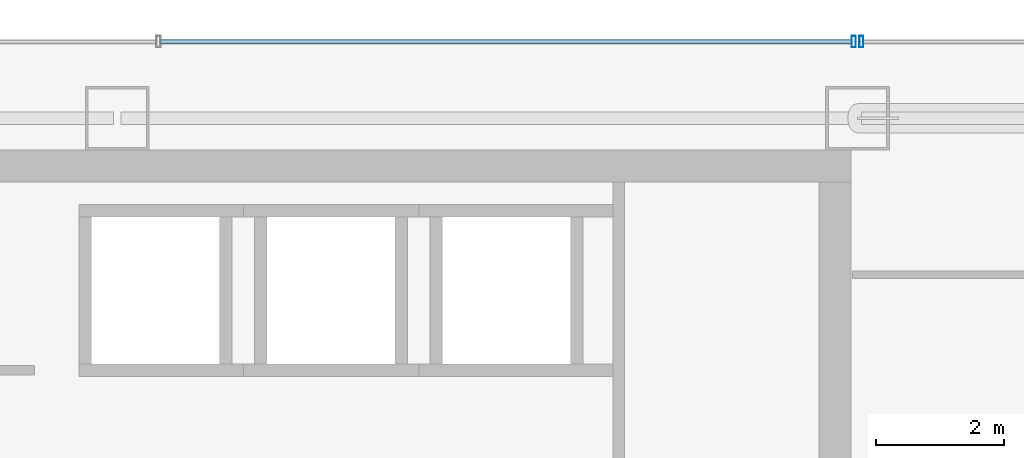
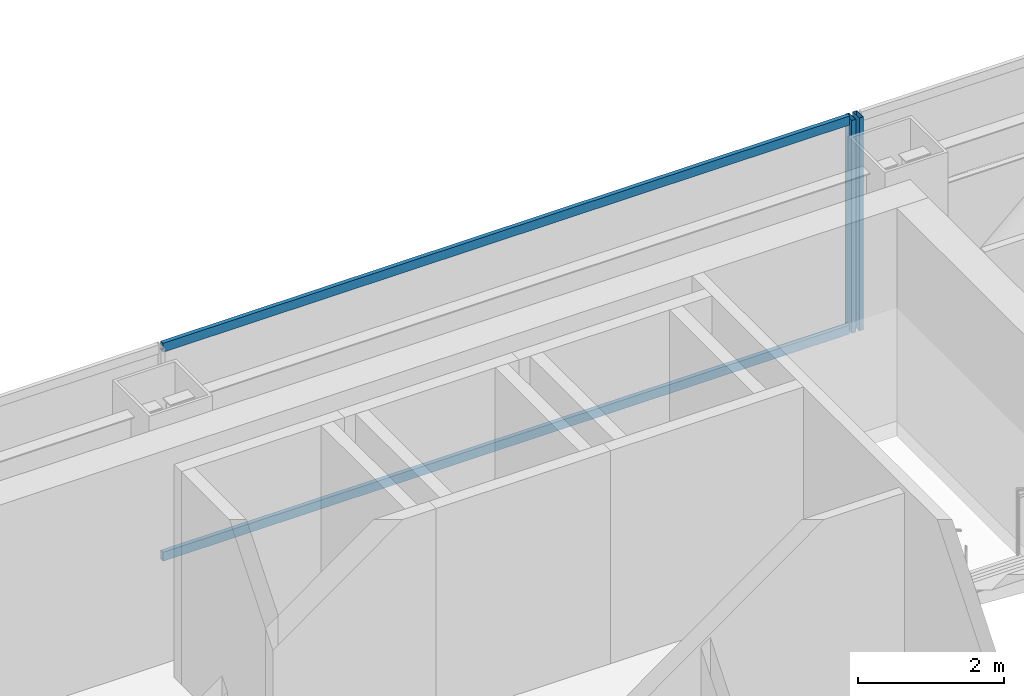
# One storey, part 20 of 31: 4 members, 2 elements without a shape of their own.
"""IFC4 building model written with IfcOpenShell, lengths in metres."""

from ifc_helpers import new_model, si_unit, direction, frame, origin, origin_2d, place, context, subcontext, project, spatial, hollow_rectangle, extrude, material, material_profile, profile_set, type_object, element, aggregate, save


model = new_model("IFC4")

# Units and contexts
model_context = context("Model", 3, precision=1e-05, world=origin(), true_north=direction((0.0, 1.0)))
body_context = subcontext(model_context, "Body", "Model", "MODEL_VIEW")
ifc_project = project(units=[si_unit("LENGTHUNIT", "METRE"), si_unit("AREAUNIT", "SQUARE_METRE"), si_unit("VOLUMEUNIT", "CUBIC_METRE"), si_unit("PLANEANGLEUNIT", "RADIAN"), si_unit("MASSUNIT", "GRAM", prefix="KILO")], contexts=[model_context])

# Site, building, storey
site_placement = place(None, origin())
site = spatial("IfcSite", under=ifc_project, at=site_placement, CompositionType="ELEMENT")
building_placement = place(site_placement, origin())
building = spatial("IfcBuilding", under=site, at=building_placement, Name="Saevonmaru Cultural Tower", CompositionType="ELEMENT")
storey_placement = place(building_placement, frame((0.0, 0.0, 167.60009765625)))
storey = spatial("IfcBuildingStorey", under=building, at=storey_placement, Name="L37", CompositionType="ELEMENT", Elevation=167.60009765625)

# Curtain wall, member
ifc_material = material(Name="Satin Bronze Anodised Aluminium", Category="aluminium")
curtain_wall_type = type_object("IfcCurtainWallType", Name="CW-TYP-A", PredefinedType="NOTDEFINED", material=ifc_material)
curtain_wall_1_placement = place(storey_placement, origin())
curtain_wall_1 = element("IfcCurtainWall", 1, at=curtain_wall_1_placement, inside=storey, type_object=curtain_wall_type, Name="L37 East Braced Bay Spandrel Curtain Wall E10A", PredefinedType="NOTDEFINED")
ifc_material_profile_1 = material_profile(ifc_material, hollow_rectangle(XDim=0.06494140625, YDim=0.179931640625, WallThickness=0.00390625, at=origin_2d()), Name="ALU-MULL-180x65x4")
ifc_profile_set_1 = profile_set([ifc_material_profile_1], Name="Satin Bronze Anodised Aluminium")
member_type_1 = type_object("IfcMemberType", Name="ML-CW-180x65", PredefinedType="MULLION", material=ifc_profile_set_1)
member_1_placement = place(storey_placement, frame((46.4599609375, 56.0, 0.0), z_axis=(0.0, 0.0, 1.0), x_axis=(-1.0, 0.0, 0.0)))
member_1 = element("IfcMember", 2, at=member_1_placement, type_object=member_type_1, Name="CW-TW-L37-E10A mullion 2", PredefinedType="MULLION", context=body_context, shape_type="SweptSolid", body=[
    extrude(hollow_rectangle(XDim=0.06494140625, YDim=0.179931640625, WallThickness=0.00390625, at=origin_2d()), origin(), (0.0, 0.0, 1.0), 3.5498046875),
])
aggregate(curtain_wall_1, [member_1])

# Curtain wall, members
curtain_wall_2_placement = place(storey_placement, origin())
curtain_wall_2 = element("IfcCurtainWall", 3, at=curtain_wall_2_placement, inside=storey, type_object=curtain_wall_type, Name="L37 North Spine Unitised Curtain Wall E10B", PredefinedType="NOTDEFINED")
member_2_placement = place(storey_placement, frame((46.340087890625, 56.0, 0.0), z_axis=(0.0, 0.0, 1.0), x_axis=(-1.0, 0.0, 0.0)))
member_2 = element("IfcMember", 4, at=member_2_placement, type_object=member_type_1, Name="CW-TW-L37-E10B mullion 1", PredefinedType="MULLION", context=body_context, shape_type="SweptSolid", body=[
    extrude(hollow_rectangle(XDim=0.06494140625, YDim=0.179931640625, WallThickness=0.00390625, at=origin_2d()), origin(), (0.0, 0.0, 1.0), 3.5498046875),
])
ifc_material_profile_2 = material_profile(ifc_material, hollow_rectangle(XDim=0.06494140625, YDim=0.14990234375, WallThickness=0.00390625, at=origin_2d()), Name="ALU-TRAN-150x65x4")
ifc_profile_set_2 = profile_set([ifc_material_profile_2], Name="Satin Bronze Anodised Aluminium")
member_type_2 = type_object("IfcMemberType", Name="TR-CW-150x65", PredefinedType="USERDEFINED", material=ifc_profile_set_2)
member_3_placement = place(storey_placement, frame((46.3076171875, 56.0, 0.032470703125), z_axis=(-1.0, 0.0, 0.0), x_axis=(0.0, -1.0, 0.0)))
member_3 = element("IfcMember", 5, at=member_3_placement, type_object=member_type_2, Name="CW-TW-L37-E10B transom 1.1", ObjectType="TRANSOM", PredefinedType="USERDEFINED", context=body_context, shape_type="SweptSolid", body=[
    extrude(hollow_rectangle(XDim=0.06494140625, YDim=0.14990234375, WallThickness=0.00390625, at=origin_2d()), origin(), (0.0, 0.0, 1.0), 10.828369140625),
])
member_4_placement = place(storey_placement, frame((46.3076171875, 56.0, 3.517333984375), z_axis=(-1.0, 0.0, 0.0), x_axis=(0.0, -1.0, 0.0)))
member_4 = element("IfcMember", 6, at=member_4_placement, type_object=member_type_2, Name="CW-TW-L37-E10B transom 1.2", ObjectType="TRANSOM", PredefinedType="USERDEFINED", context=body_context, shape_type="SweptSolid", body=[
    extrude(hollow_rectangle(XDim=0.06494140625, YDim=0.14990234375, WallThickness=0.00390625, at=origin_2d()), origin(), (0.0, 0.0, 1.0), 10.828369140625),
])
aggregate(curtain_wall_2, [member_2, member_3, member_4])

save(model, "model.ifc")
